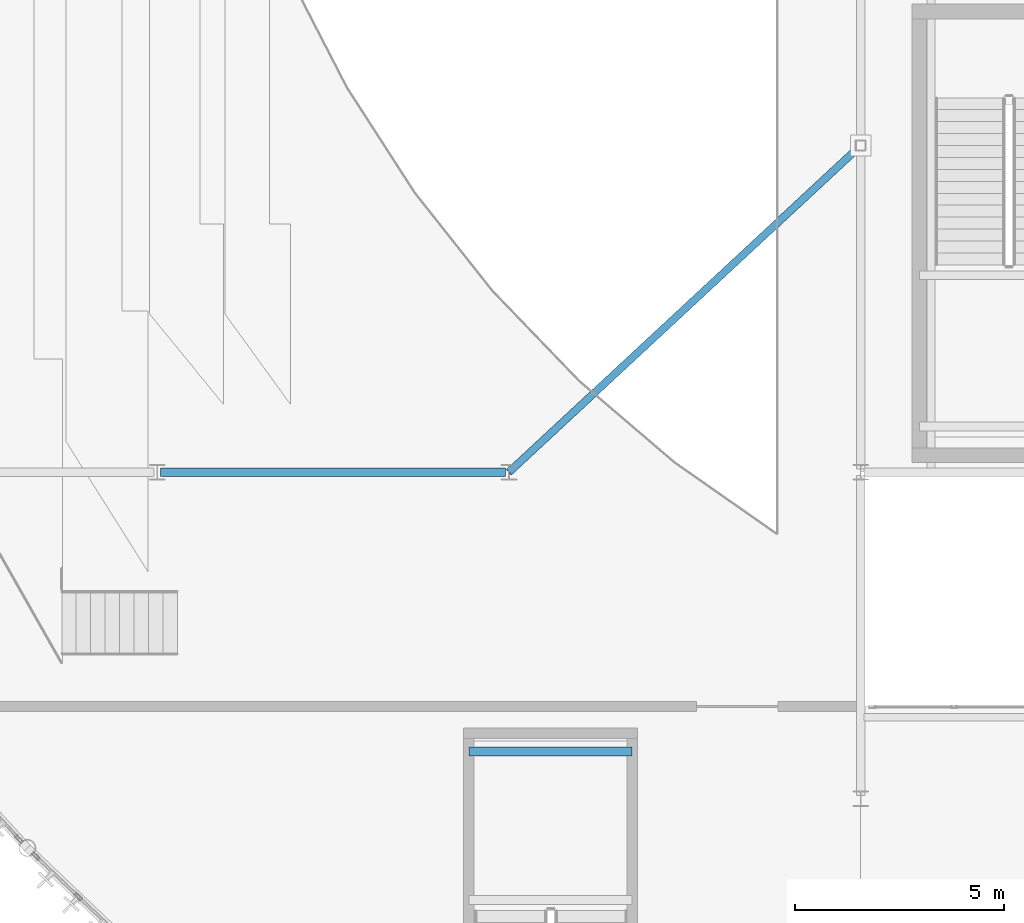
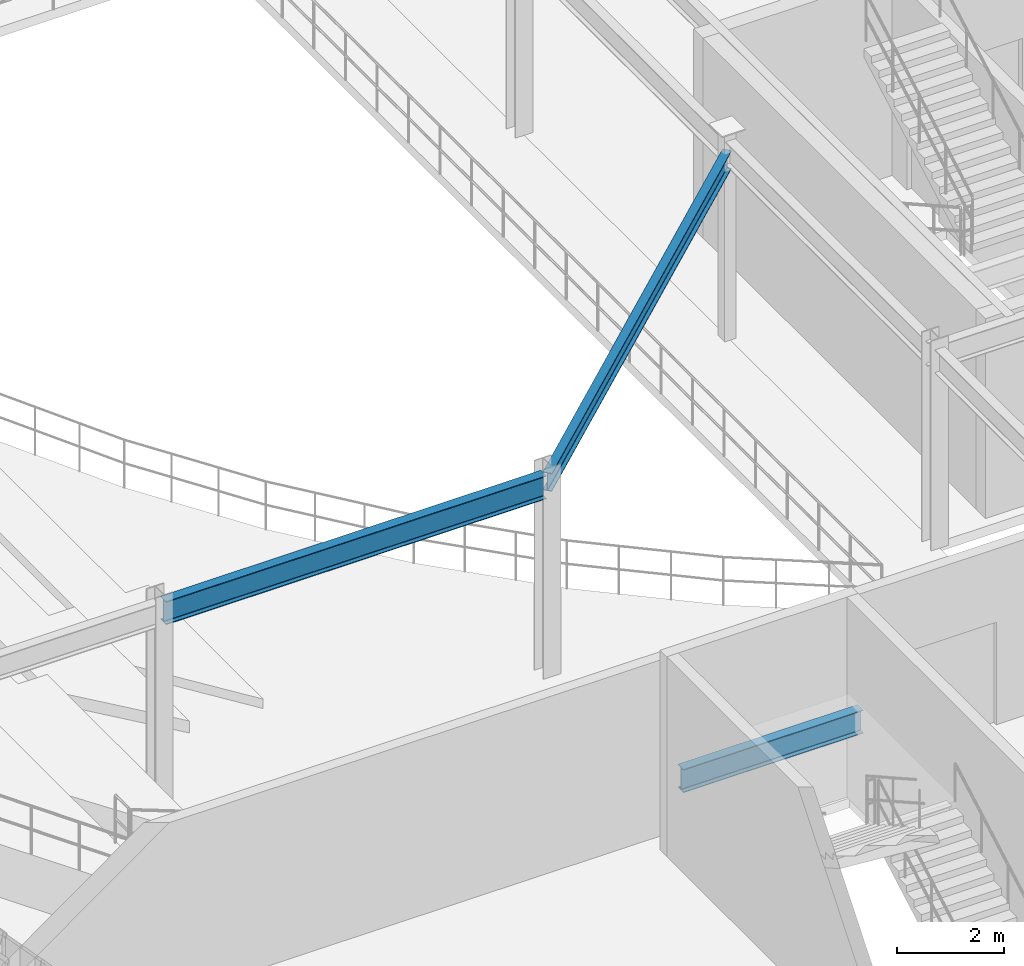
# One storey, part 25 of 116: 3 beams.
"""IFC4 building model written with IfcOpenShell, lengths in metres."""

from ifc_helpers import new_model, si_unit, direction, frame, origin, origin_2d, place, context, subcontext, project, spatial, i_section, extrude, material, material_profile, profile_set, type_object, element, save


model = new_model("IFC4")

# Units and contexts
model_context = context("Model", 3, precision=1e-05, world=origin(), true_north=direction((0.0, 1.0)))
body_context = subcontext(model_context, "Body", "Model", "MODEL_VIEW")
ifc_project = project(units=[si_unit("LENGTHUNIT", "METRE"), si_unit("AREAUNIT", "SQUARE_METRE"), si_unit("VOLUMEUNIT", "CUBIC_METRE"), si_unit("PLANEANGLEUNIT", "RADIAN"), si_unit("MASSUNIT", "GRAM", prefix="KILO")], contexts=[model_context])

# Site, building, storey
site_placement = place(None, origin())
site = spatial("IfcSite", under=ifc_project, at=site_placement, CompositionType="ELEMENT")
building_placement = place(site_placement, origin())
building = spatial("IfcBuilding", under=site, at=building_placement, Name="Selat Folded Stagehouse", CompositionType="ELEMENT")
storey_placement = place(building_placement, frame((0.0, 0.0, 5.39990234375)))
storey = spatial("IfcBuildingStorey", under=building, at=storey_placement, Name="L01", CompositionType="ELEMENT", Elevation=5.39990234375)

# Beams
ifc_material = material(Name="Steel S355", Category="steel")
ifc_material_profile_1 = material_profile(ifc_material, i_section(OverallWidth=0.209228515625, OverallDepth=0.533203125, WebThickness=0.010009765625, FlangeThickness=0.015625, FilletRadius=0.0126953125, at=origin_2d()), Name="UKB 533x210x92")
ifc_profile_set_1 = profile_set([ifc_material_profile_1], Name="Steel S355")
beam_type_1 = type_object("IfcBeamType", Name="BM-GIRD-533x210x92", PredefinedType="BEAM", material=ifc_profile_set_1)
beam_1_placement = place(storey_placement, frame((16.8798828125, 23.39990234375, 4.3134765625), z_axis=(1.0, 0.0, 0.0), x_axis=(0.0, 1.0, 0.0)))
element("IfcBeam", 1, at=beam_1_placement, inside=storey, type_object=beam_type_1, Name="L01 primary x-girder 0777", PredefinedType="BEAM", context=body_context, shape_type="SweptSolid", body=[
    extrude(i_section(OverallWidth=0.209228515625, OverallDepth=0.533203125, WebThickness=0.010009765625, FlangeThickness=0.015625, FilletRadius=0.0126953125, at=origin_2d()), origin(), (0.0, 0.0, 1.0), 8.240234375),
])
beam_2_placement = place(storey_placement, frame((24.239990234375, 16.72998046875, 1.93359375), z_axis=(1.0, 0.0, 0.0), x_axis=(0.0, 1.0, 0.0)))
element("IfcBeam", 2, at=beam_2_placement, inside=storey, type_object=beam_type_1, Name="L01 ST-09 landing support beam 2", PredefinedType="BEAM", context=body_context, shape_type="SweptSolid", body=[
    extrude(i_section(OverallWidth=0.209228515625, OverallDepth=0.533203125, WebThickness=0.010009765625, FlangeThickness=0.015625, FilletRadius=0.0126953125, at=origin_2d()), origin(), (0.0, 0.0, 1.0), 3.89990234375),
])
ifc_material_profile_2 = material_profile(ifc_material, i_section(OverallWidth=0.179443359375, OverallDepth=0.412841796875, WebThickness=0.009521484375, FlangeThickness=0.01611328125, FilletRadius=0.01025390625, at=origin_2d()), Name="UKB 406x178x74")
ifc_profile_set_2 = profile_set([ifc_material_profile_2], Name="Steel S355")
beam_type_2 = type_object("IfcBeamType", Name="BM-RAKER-406x178x74", PredefinedType="BEAM", material=ifc_profile_set_2)
beam_3_placement = place(storey_placement, frame((33.60009765625, 31.199951171875, 4.080078125), z_axis=(-0.732594068574, -0.680258316531, 0.023548959219), x_axis=(0.680447014825, -0.732797284394, 0.0)))
element("IfcBeam", 3, at=beam_3_placement, inside=storey, type_object=beam_type_2, Name="L01 upper circle radial raker beam S", PredefinedType="BEAM", context=body_context, shape_type="SweptSolid", body=[
    extrude(i_section(OverallWidth=0.179443359375, OverallDepth=0.412841796875, WebThickness=0.009521484375, FlangeThickness=0.01611328125, FilletRadius=0.01025390625, at=origin_2d()), origin(), (0.0, 0.0, 1.0), 11.46630859375),
])

save(model, "model.ifc")
